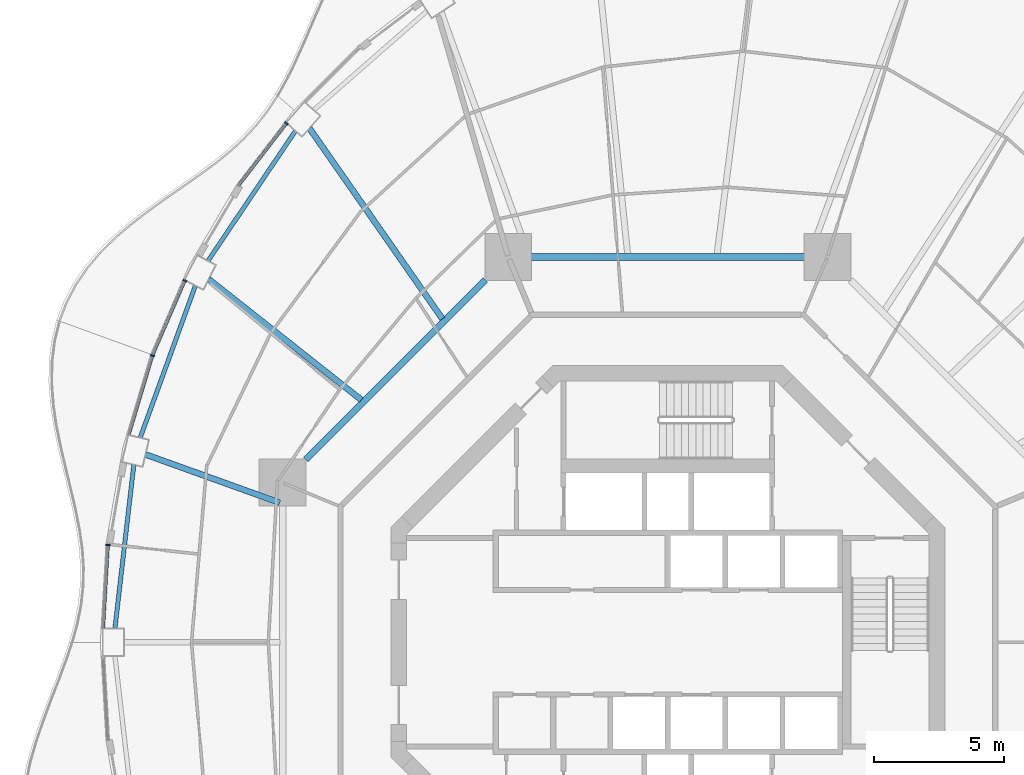
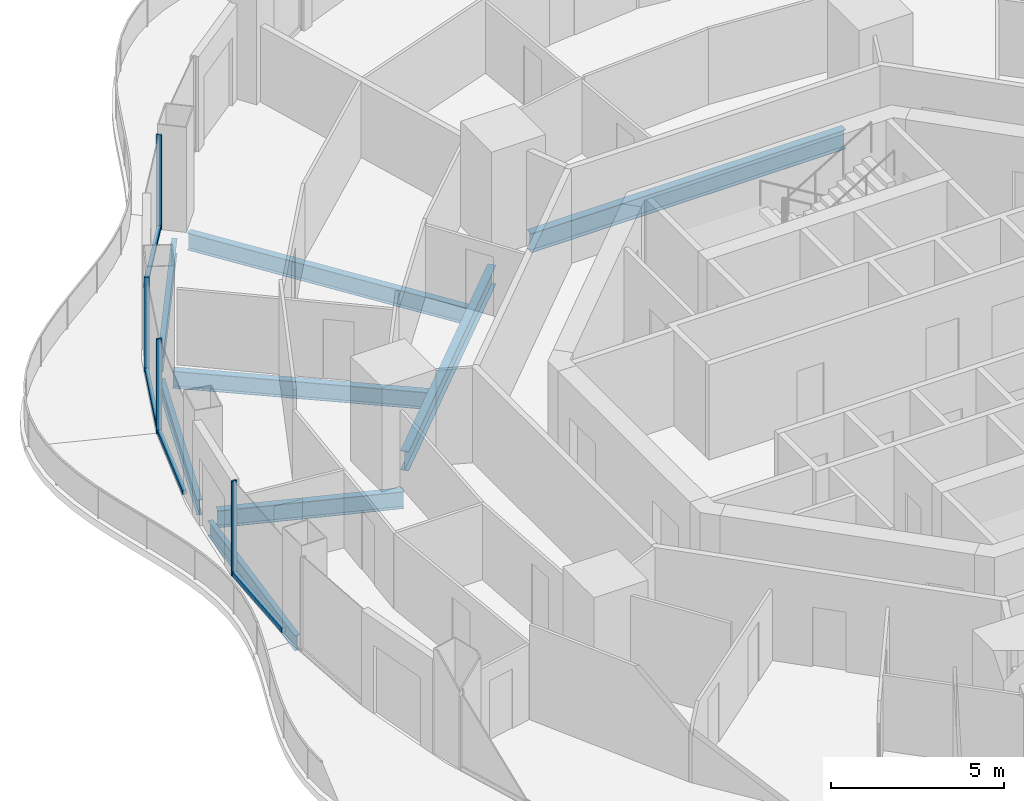
# One storey, part 6 of 19: 8 beams, 8 members, 4 elements without a shape of their own.
"""IFC4 building model written with IfcOpenShell, lengths in metres."""

from ifc_helpers import new_model, si_unit, direction, frame, origin, origin_2d, place, context, subcontext, project, spatial, rectangle, i_section, extrude, material, layer, layer_set, material_profile, profile_set, type_object, element, aggregate, save


model = new_model("IFC4")

# Units and contexts
model_context = context("Model", 3, precision=1e-05, world=origin(), true_north=direction((0.0, 1.0)))
body_context = subcontext(model_context, "Body", "Model", "MODEL_VIEW")
ifc_project = project(units=[si_unit("LENGTHUNIT", "METRE"), si_unit("AREAUNIT", "SQUARE_METRE"), si_unit("VOLUMEUNIT", "CUBIC_METRE"), si_unit("PLANEANGLEUNIT", "RADIAN"), si_unit("MASSUNIT", "GRAM", prefix="KILO")], contexts=[model_context])

# Site, building, storey
site_placement = place(None, origin())
site = spatial("IfcSite", under=ifc_project, at=site_placement, CompositionType="ELEMENT")
building_placement = place(site_placement, origin())
building = spatial("IfcBuilding", under=site, at=building_placement, Name="Nagisa Residences", CompositionType="ELEMENT")
storey_placement = place(building_placement, frame((0.0, 0.0, 202.89990234375)))
storey = spatial("IfcBuildingStorey", under=building, at=storey_placement, Name="L51", CompositionType="ELEMENT", Elevation=202.89990234375)

# Curtain wall, member
ifc_material_1 = material(Name="Concrete-coloured aluminium curtain wall system", Category="concrete")
ifc_layer = layer(ifc_material_1, 0.159912109375)
ifc_layer_set = layer_set([ifc_layer], Name="CW1 CURTAIN WALL")
curtain_wall_type = type_object("IfcCurtainWallType", Name="CW1 CURTAIN WALL", PredefinedType="NOTDEFINED", material=ifc_layer_set)
curtain_wall_1_placement = place(storey_placement, origin())
curtain_wall_1 = element("IfcCurtainWall", 1, at=curtain_wall_1_placement, inside=storey, type_object=curtain_wall_type, Name="cw:CW1:L51:18", PredefinedType="NOTDEFINED")
ifc_material_2 = material(Name="Concrete-coloured aluminium", Category="concrete")
ifc_material_profile_1 = material_profile(ifc_material_2, rectangle(XDim=0.159912109375, YDim=0.06005859375, at=origin_2d()), Name="CW1 MULLION 160x60")
ifc_profile_set_1 = profile_set([ifc_material_profile_1], Name="Concrete-coloured aluminium")
member_type_1 = type_object("IfcMemberType", Name="CW1 MULLION 160x60", PredefinedType="MULLION", material=ifc_profile_set_1)
member_1_placement = place(storey_placement, frame((-14.633544921875, 19.909423828125, 0.0), z_axis=(0.0, 0.0, 1.0), x_axis=(0.792070340816, -0.610429828235, 0.0)))
member_1 = element("IfcMember", 2, at=member_1_placement, type_object=member_type_1, Name="CW1 mullion", PredefinedType="MULLION", context=body_context, shape_type="SweptSolid", body=[
    extrude(rectangle(XDim=0.159912109375, YDim=0.06005859375, at=origin_2d()), origin(), (0.0, 0.0, 1.0), 3.35009765625),
])

curtain_wall_2_placement = place(storey_placement, origin())
curtain_wall_2 = element("IfcCurtainWall", 3, at=curtain_wall_2_placement, inside=storey, type_object=curtain_wall_type, Name="cw:CW1:L51:20", PredefinedType="NOTDEFINED")
member_2_placement = place(storey_placement, frame((-18.53271484375, 13.87353515625, 0.0), z_axis=(0.0, 0.0, 1.0), x_axis=(0.917543276295, -0.397635934147, 0.0)))
member_2 = element("IfcMember", 4, at=member_2_placement, type_object=member_type_1, Name="CW1 mullion", PredefinedType="MULLION", context=body_context, shape_type="SweptSolid", body=[
    extrude(rectangle(XDim=0.159912109375, YDim=0.06005859375, at=origin_2d()), origin(), (0.0, 0.0, 1.0), 3.35009765625),
])

curtain_wall_3_placement = place(storey_placement, origin())
curtain_wall_3 = element("IfcCurtainWall", 5, at=curtain_wall_3_placement, inside=storey, type_object=curtain_wall_type, Name="cw:CW1:L51:21", PredefinedType="NOTDEFINED")
member_3_placement = place(storey_placement, frame((-19.775390625, 10.998291015625, 0.0), z_axis=(0.0, 0.0, 1.0), x_axis=(0.958271310082, -0.285860274038, 0.0)))
member_3 = element("IfcMember", 6, at=member_3_placement, type_object=member_type_1, Name="CW1 mullion", PredefinedType="MULLION", context=body_context, shape_type="SweptSolid", body=[
    extrude(rectangle(XDim=0.159912109375, YDim=0.06005859375, at=origin_2d()), origin(), (0.0, 0.0, 1.0), 3.35009765625),
])

curtain_wall_4_placement = place(storey_placement, origin())
curtain_wall_4 = element("IfcCurtainWall", 7, at=curtain_wall_4_placement, inside=storey, type_object=curtain_wall_type, Name="cw:CW1:L51:23", PredefinedType="NOTDEFINED")
member_4_placement = place(storey_placement, frame((-21.479736328125, 3.734375, 0.0), z_axis=(0.0, 0.0, 1.0), x_axis=(0.998345305184, -0.057503492216, 0.0)))
member_4 = element("IfcMember", 8, at=member_4_placement, type_object=member_type_1, Name="CW1 mullion", PredefinedType="MULLION", context=body_context, shape_type="SweptSolid", body=[
    extrude(rectangle(XDim=0.159912109375, YDim=0.06005859375, at=origin_2d()), origin(), (0.0, 0.0, 1.0), 3.35009765625),
])

# Member
ifc_material_3 = material(Name="Concrete-coloured aluminium", Category="concrete")
ifc_material_profile_2 = material_profile(ifc_material_3, rectangle(XDim=0.1201171875, YDim=0.14990234375, at=origin_2d()), Name="CW1 TRANSOM 120x150")
ifc_profile_set_2 = profile_set([ifc_material_profile_2], Name="Concrete-coloured aluminium")
member_type_2 = type_object("IfcMemberType", Name="CW1 TRANSOM 120x150", PredefinedType="USERDEFINED", material=ifc_profile_set_2)
member_5_placement = place(storey_placement, frame((-14.615234375, 19.933349609375, 0.0751953125), z_axis=(-0.610398538814, -0.792094453846, 0.0), x_axis=(0.792094453846, -0.610398538814, 0.0)))
member_5 = element("IfcMember", 9, at=member_5_placement, type_object=member_type_2, Name="CW1 transom", ObjectType="TRANSOM", PredefinedType="USERDEFINED", context=body_context, shape_type="SweptSolid", body=[
    extrude(rectangle(XDim=0.1201171875, YDim=0.14990234375, at=origin_2d()), origin(), (0.0, 0.0, 1.0), 3.035400390625),
])

aggregate(curtain_wall_1, [member_1, member_5])

member_6_placement = place(storey_placement, frame((-18.520751953125, 13.901123046875, 0.0751953125), z_axis=(-0.397592173732, -0.917562239517, 0.0), x_axis=(0.917562239517, -0.397592173732, 0.0)))
member_6 = element("IfcMember", 10, at=member_6_placement, type_object=member_type_2, Name="CW1 transom", ObjectType="TRANSOM", PredefinedType="USERDEFINED", context=body_context, shape_type="SweptSolid", body=[
    extrude(rectangle(XDim=0.1201171875, YDim=0.14990234375, at=origin_2d()), origin(), (0.0, 0.0, 1.0), 3.14208984375),
])

aggregate(curtain_wall_2, [member_2, member_6])

member_7_placement = place(storey_placement, frame((-19.766845703125, 11.027099609375, 0.0751953125), z_axis=(-0.28584838049, -0.958274857946, 0.0), x_axis=(0.958274857946, -0.28584838049, 0.0)))
member_7 = element("IfcMember", 11, at=member_7_placement, type_object=member_type_2, Name="CW1 transom", ObjectType="TRANSOM", PredefinedType="USERDEFINED", context=body_context, shape_type="SweptSolid", body=[
    extrude(rectangle(XDim=0.1201171875, YDim=0.14990234375, at=origin_2d()), origin(), (0.0, 0.0, 1.0), 3.182373046875),
])

aggregate(curtain_wall_3, [member_3, member_7])

member_8_placement = place(storey_placement, frame((-21.47802734375, 3.764404296875, 0.0751953125), z_axis=(-0.057528345118, -0.998343873376, 0.0), x_axis=(0.998343873376, -0.057528345118, 0.0)))
member_8 = element("IfcMember", 12, at=member_8_placement, type_object=member_type_2, Name="CW1 transom", ObjectType="TRANSOM", PredefinedType="USERDEFINED", context=body_context, shape_type="SweptSolid", body=[
    extrude(rectangle(XDim=0.1201171875, YDim=0.14990234375, at=origin_2d()), origin(), (0.0, 0.0, 1.0), 3.225341796875),
])

aggregate(curtain_wall_4, [member_4, member_8])

# Beams
ifc_material_4 = material(Name="Steel ASTM A572 Gr 50", Category="steel")
ifc_material_profile_3 = material_profile(ifc_material_4, i_section(OverallWidth=0.25390625, OverallDepth=0.68408203125, WebThickness=0.012451171875, FlangeThickness=0.018798828125, at=origin_2d()), Name="W690x140")
ifc_profile_set_3 = profile_set([ifc_material_profile_3], Name="Steel ASTM A572 Gr 50")
beam_type_1 = type_object("IfcBeamType", Name="Inner ring beam W690x140", PredefinedType="BEAM", material=ifc_profile_set_3)
beam_1_placement = place(storey_placement, frame((5.242919921875, 14.781982421875, -0.601806640625), z_axis=(-1.0, 0.0, 0.0), x_axis=(0.0, -1.0, 0.0)))
element("IfcBeam", 13, at=beam_1_placement, inside=storey, type_object=beam_type_1, Name="beam:L51:ib2", PredefinedType="BEAM", context=body_context, shape_type="SweptSolid", body=[
    extrude(i_section(OverallWidth=0.25390625, OverallDepth=0.68408203125, WebThickness=0.012451171875, FlangeThickness=0.018798828125, at=origin_2d()), origin(), (0.0, 0.0, 1.0), 10.48583984375),
])
beam_2_placement = place(storey_placement, frame((-7.0087890625, 13.896240234375, -0.601806640625), z_axis=(-0.707106781187, -0.707106781187, 0.0), x_axis=(0.707106781187, -0.707106781187, 0.0)))
element("IfcBeam", 14, at=beam_2_placement, inside=storey, type_object=beam_type_1, Name="beam:L51:ib3", PredefinedType="BEAM", context=body_context, shape_type="SweptSolid", body=[
    extrude(i_section(OverallWidth=0.25390625, OverallDepth=0.68408203125, WebThickness=0.012451171875, FlangeThickness=0.018798828125, at=origin_2d()), origin(), (0.0, 0.0, 1.0), 9.740234375),
])
ifc_material_5 = material(Name="Steel ASTM A572 Gr 50", Category="steel")
ifc_material_profile_4 = material_profile(ifc_material_5, i_section(OverallWidth=0.166015625, OverallDepth=0.534912109375, WebThickness=0.01025390625, FlangeThickness=0.0166015625, at=origin_2d()), Name="W530x85")
ifc_profile_set_4 = profile_set([ifc_material_profile_4], Name="Steel ASTM A572 Gr 50")
beam_type_2 = type_object("IfcBeamType", Name="Perimeter ring beam W530x85", PredefinedType="BEAM", material=ifc_profile_set_4)
beam_3_placement = place(storey_placement, frame((-14.28759765625, 19.62060546875, -0.52734375), z_axis=(-0.558152301307, -0.829738518177, 0.0), x_axis=(0.829738518177, -0.558152301307, 0.0)))
element("IfcBeam", 15, at=beam_3_placement, inside=storey, type_object=beam_type_2, Name="beam:L51:pb10", PredefinedType="BEAM", context=body_context, shape_type="SweptSolid", body=[
    extrude(i_section(OverallWidth=0.166015625, OverallDepth=0.534912109375, WebThickness=0.01025390625, FlangeThickness=0.0166015625, at=origin_2d()), origin(), (0.0, 0.0, 1.0), 6.013916015625),
])
beam_4_placement = place(storey_placement, frame((-18.124755859375, 13.685546875, -0.52734375), z_axis=(-0.341285525681, -0.939959674646, 0.0), x_axis=(0.939959674646, -0.341285525681, 0.0)))
element("IfcBeam", 16, at=beam_4_placement, inside=storey, type_object=beam_type_2, Name="beam:L51:pb11", PredefinedType="BEAM", context=body_context, shape_type="SweptSolid", body=[
    extrude(i_section(OverallWidth=0.166015625, OverallDepth=0.534912109375, WebThickness=0.01025390625, FlangeThickness=0.0166015625, at=origin_2d()), origin(), (0.0, 0.0, 1.0), 6.212890625),
])
beam_5_placement = place(storey_placement, frame((-20.488525390625, 6.813720703125, -0.52734375), z_axis=(-0.114670987431, -0.993403525583, 0.0), x_axis=(0.993403525583, -0.114670987431, 0.0)))
element("IfcBeam", 17, at=beam_5_placement, inside=storey, type_object=beam_type_2, Name="beam:L51:pb12", PredefinedType="BEAM", context=body_context, shape_type="SweptSolid", body=[
    extrude(i_section(OverallWidth=0.166015625, OverallDepth=0.534912109375, WebThickness=0.01025390625, FlangeThickness=0.0166015625, at=origin_2d()), origin(), (0.0, 0.0, 1.0), 6.325439453125),
])
ifc_material_6 = material(Name="Steel ASTM A572 Gr 50", Category="steel")
ifc_material_profile_5 = material_profile(ifc_material_6, i_section(OverallWidth=0.22802734375, OverallDepth=0.60302734375, WebThickness=0.010498046875, FlangeThickness=0.014892578125, at=origin_2d()), Name="W610x101")
ifc_profile_set_5 = profile_set([ifc_material_profile_5], Name="Steel ASTM A572 Gr 50")
beam_type_3 = type_object("IfcBeamType", Name="Radial beam W610x101", PredefinedType="BEAM", material=ifc_profile_set_5)
beam_6_placement = place(storey_placement, frame((-13.75048828125, 19.7216796875, -0.5615234375), z_axis=(0.571934479253, -0.82029930601, 0.0), x_axis=(0.82029930601, 0.571934479253, 0.0)))
element("IfcBeam", 18, at=beam_6_placement, inside=storey, type_object=beam_type_3, Name="beam:L51:rb10", PredefinedType="BEAM", context=body_context, shape_type="SweptSolid", body=[
    extrude(i_section(OverallWidth=0.22802734375, OverallDepth=0.60302734375, WebThickness=0.010498046875, FlangeThickness=0.014892578125, at=origin_2d()), origin(), (0.0, 0.0, 1.0), 8.917724609375),
])
beam_7_placement = place(storey_placement, frame((-17.617919921875, 13.930908203125, -0.5615234375), z_axis=(0.784411523752, -0.620240728593, 0.0), x_axis=(0.620240728593, 0.784411523752, 0.0)))
element("IfcBeam", 19, at=beam_7_placement, inside=storey, type_object=beam_type_3, Name="beam:L51:rb11", PredefinedType="BEAM", context=body_context, shape_type="SweptSolid", body=[
    extrude(i_section(OverallWidth=0.22802734375, OverallDepth=0.60302734375, WebThickness=0.010498046875, FlangeThickness=0.014892578125, at=origin_2d()), origin(), (0.0, 0.0, 1.0), 7.4697265625),
])
beam_8_placement = place(storey_placement, frame((-20.043701171875, 7.2060546875, -0.5615234375), z_axis=(0.941032808963, -0.338315315137, 0.0), x_axis=(0.338315315137, 0.941032808963, 0.0)))
element("IfcBeam", 20, at=beam_8_placement, inside=storey, type_object=beam_type_3, Name="beam:L51:rb12", PredefinedType="BEAM", context=body_context, shape_type="SweptSolid", body=[
    extrude(i_section(OverallWidth=0.22802734375, OverallDepth=0.60302734375, WebThickness=0.010498046875, FlangeThickness=0.014892578125, at=origin_2d()), origin(), (0.0, 0.0, 1.0), 5.4765625),
])

save(model, "model.ifc")
